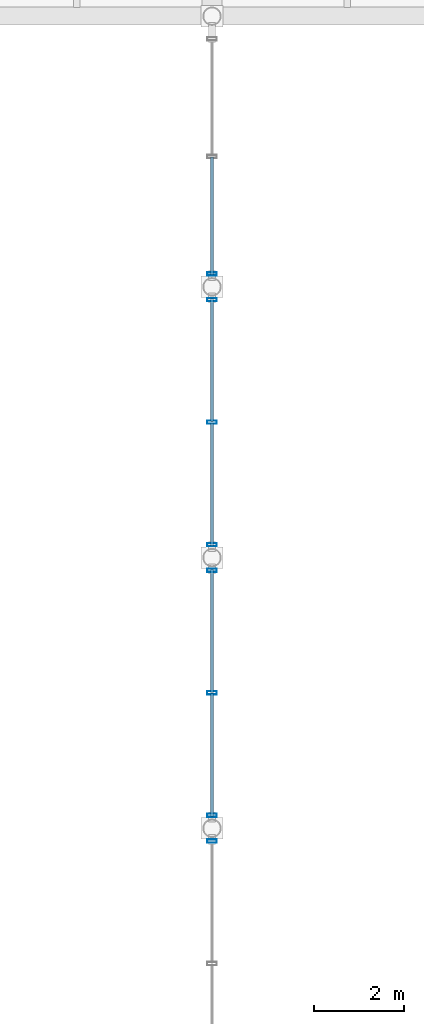
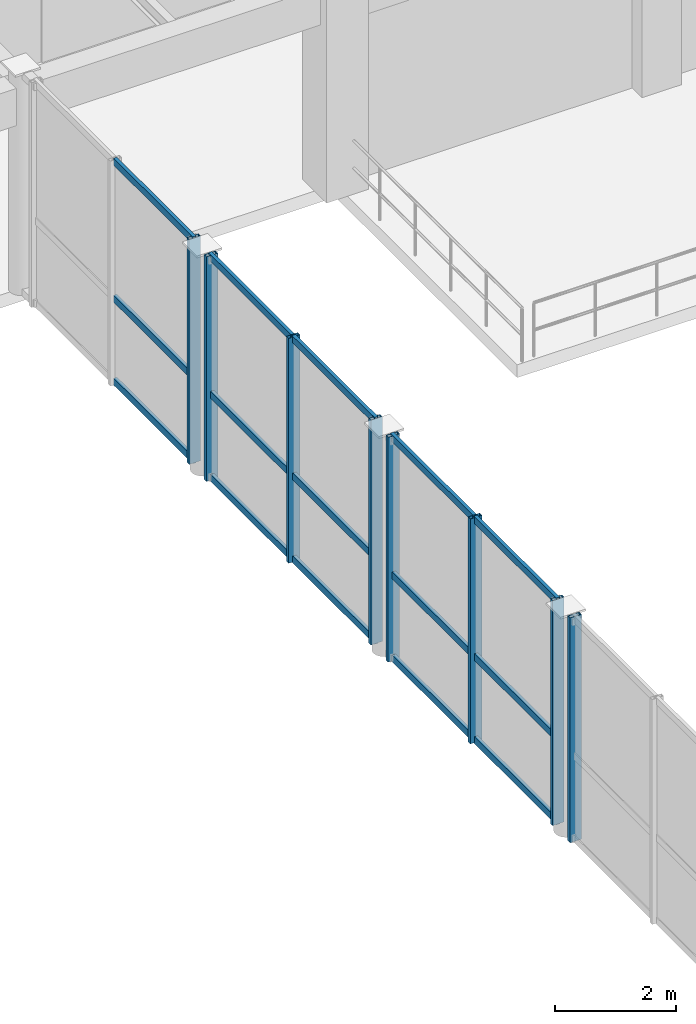
# One storey, part 38 of 133: 23 members, 4 elements without a shape of their own.
"""IFC4 building model written with IfcOpenShell, lengths in metres."""

from ifc_helpers import new_model, si_unit, direction, frame, origin, origin_2d, place, context, subcontext, project, spatial, hollow_rectangle, extrude, material, material_profile, profile_set, type_object, element, aggregate, save


model = new_model("IFC4")

# Units and contexts
model_context = context("Model", 3, precision=1e-05, world=origin(), true_north=direction((0.0, 1.0)))
body_context = subcontext(model_context, "Body", "Model", "MODEL_VIEW")
ifc_project = project(units=[si_unit("LENGTHUNIT", "METRE"), si_unit("AREAUNIT", "SQUARE_METRE"), si_unit("VOLUMEUNIT", "CUBIC_METRE"), si_unit("PLANEANGLEUNIT", "RADIAN"), si_unit("MASSUNIT", "GRAM", prefix="KILO"), si_unit("THERMODYNAMICTEMPERATUREUNIT", "KELVIN"), si_unit("POWERUNIT", "WATT")], contexts=[model_context])

# Site, building, storey
site_placement = place(None, origin())
site = spatial("IfcSite", under=ifc_project, at=site_placement, CompositionType="ELEMENT")
building_placement = place(site_placement, origin())
building = spatial("IfcBuilding", under=site, at=building_placement, Name="Phaisarnlok Congress Hotel", CompositionType="ELEMENT")
storey_placement = place(building_placement, frame((0.0, 0.0, 6.0)))
storey = spatial("IfcBuildingStorey", under=building, at=storey_placement, Name="L01", CompositionType="ELEMENT", Elevation=6.0)

# Curtain wall, member
ifc_material_1 = material(Name="Thermally Broken Unitised Aluminium & Low-E Glazing", Category="aluminium")
curtain_wall_type_1 = type_object("IfcCurtainWallType", Name="CW-UNIT-43", PredefinedType="NOTDEFINED", material=ifc_material_1)
curtain_wall_1_placement = place(storey_placement, origin())
curtain_wall_1 = element("IfcCurtainWall", 1, at=curtain_wall_1_placement, inside=storey, type_object=curtain_wall_type_1, Name="Unitised curtain wall CW-43 (L01)", PredefinedType="NOTDEFINED")
ifc_material_2 = material(Name="Anodised Aluminium Alloy 6063-T6", Category="aluminium")
ifc_material_profile_1 = material_profile(ifc_material_2, hollow_rectangle(XDim=0.074951171875, YDim=0.219970703125, WallThickness=0.0048828125, at=origin_2d()), Name="ALU-M 75x220x5")
ifc_profile_set_1 = profile_set([ifc_material_profile_1], Name="Anodised Aluminium Alloy 6063-T6")
member_type_1 = type_object("IfcMemberType", Name="CWM-220", PredefinedType="MULLION", material=ifc_profile_set_1)
member_1_placement = place(storey_placement, frame((120.0, 65.715087890625, -0.02001953125), z_axis=(0.0, 0.0, 1.0), x_axis=(0.0, -1.0, 0.0)))
member_1 = element("IfcMember", 2, at=member_1_placement, type_object=member_type_1, Name="Curtain wall mullion CWM-02", PredefinedType="MULLION", context=body_context, shape_type="SweptSolid", body=[
    extrude(hollow_rectangle(XDim=0.074951171875, YDim=0.219970703125, WallThickness=0.0048828125, at=origin_2d()), origin(), (0.0, 0.0, 1.0), 4.530029296875),
])
aggregate(curtain_wall_1, [member_1])

# Curtain wall, members
curtain_wall_2_placement = place(storey_placement, origin())
curtain_wall_2 = element("IfcCurtainWall", 3, at=curtain_wall_2_placement, inside=storey, type_object=curtain_wall_type_1, Name="Unitised curtain wall CW-43 (L01)", PredefinedType="NOTDEFINED")
member_2_placement = place(storey_placement, frame((120.0, 71.715087890625, -0.02001953125), z_axis=(0.0, 0.0, 1.0), x_axis=(0.0, -1.0, 0.0)))
member_2 = element("IfcMember", 4, at=member_2_placement, type_object=member_type_1, Name="Curtain wall mullion CWM-02", PredefinedType="MULLION", context=body_context, shape_type="SweptSolid", body=[
    extrude(hollow_rectangle(XDim=0.074951171875, YDim=0.219970703125, WallThickness=0.0048828125, at=origin_2d()), origin(), (0.0, 0.0, 1.0), 4.530029296875),
])
member_3_placement = place(storey_placement, frame((120.0, 69.0, -0.02001953125), z_axis=(0.0, 0.0, 1.0), x_axis=(0.0, -1.0, 0.0)))
member_3 = element("IfcMember", 5, at=member_3_placement, type_object=member_type_1, Name="Curtain wall mullion CWM-02", PredefinedType="MULLION", context=body_context, shape_type="SweptSolid", body=[
    extrude(hollow_rectangle(XDim=0.074951171875, YDim=0.219970703125, WallThickness=0.0048828125, at=origin_2d()), origin(), (0.0, 0.0, 1.0), 4.530029296875),
])
member_4_placement = place(storey_placement, frame((120.0, 66.284912109375, -0.02001953125), z_axis=(0.0, 0.0, 1.0), x_axis=(0.0, -1.0, 0.0)))
member_4 = element("IfcMember", 6, at=member_4_placement, type_object=member_type_1, Name="Curtain wall mullion CWM-02", PredefinedType="MULLION", context=body_context, shape_type="SweptSolid", body=[
    extrude(hollow_rectangle(XDim=0.074951171875, YDim=0.219970703125, WallThickness=0.0048828125, at=origin_2d()), origin(), (0.0, 0.0, 1.0), 4.530029296875),
])

curtain_wall_3_placement = place(storey_placement, origin())
curtain_wall_3 = element("IfcCurtainWall", 7, at=curtain_wall_3_placement, inside=storey, type_object=curtain_wall_type_1, Name="Unitised curtain wall CW-43 (L01)", PredefinedType="NOTDEFINED")
member_5_placement = place(storey_placement, frame((120.0, 77.715087890625, -0.02001953125), z_axis=(0.0, 0.0, 1.0), x_axis=(0.0, -1.0, 0.0)))
member_5 = element("IfcMember", 8, at=member_5_placement, type_object=member_type_1, Name="Curtain wall mullion CWM-02", PredefinedType="MULLION", context=body_context, shape_type="SweptSolid", body=[
    extrude(hollow_rectangle(XDim=0.074951171875, YDim=0.219970703125, WallThickness=0.0048828125, at=origin_2d()), origin(), (0.0, 0.0, 1.0), 4.530029296875),
])
member_6_placement = place(storey_placement, frame((120.0, 75.0, -0.02001953125), z_axis=(0.0, 0.0, 1.0), x_axis=(0.0, -1.0, 0.0)))
member_6 = element("IfcMember", 9, at=member_6_placement, type_object=member_type_1, Name="Curtain wall mullion CWM-02", PredefinedType="MULLION", context=body_context, shape_type="SweptSolid", body=[
    extrude(hollow_rectangle(XDim=0.074951171875, YDim=0.219970703125, WallThickness=0.0048828125, at=origin_2d()), origin(), (0.0, 0.0, 1.0), 4.530029296875),
])
member_7_placement = place(storey_placement, frame((120.0, 72.284912109375, -0.02001953125), z_axis=(0.0, 0.0, 1.0), x_axis=(0.0, -1.0, 0.0)))
member_7 = element("IfcMember", 10, at=member_7_placement, type_object=member_type_1, Name="Curtain wall mullion CWM-02", PredefinedType="MULLION", context=body_context, shape_type="SweptSolid", body=[
    extrude(hollow_rectangle(XDim=0.074951171875, YDim=0.219970703125, WallThickness=0.0048828125, at=origin_2d()), origin(), (0.0, 0.0, 1.0), 4.530029296875),
])

# Curtain wall, member
curtain_wall_type_2 = type_object("IfcCurtainWallType", Name="CW-UNIT-40", PredefinedType="NOTDEFINED", material=ifc_material_1)
curtain_wall_4_placement = place(storey_placement, origin())
curtain_wall_4 = element("IfcCurtainWall", 11, at=curtain_wall_4_placement, inside=storey, type_object=curtain_wall_type_2, Name="Unitised curtain wall CW-40 (L01)", PredefinedType="NOTDEFINED")
member_8_placement = place(storey_placement, frame((120.0, 78.284912109375, -0.02001953125), z_axis=(0.0, 0.0, 1.0), x_axis=(0.0, -1.0, 0.0)))
member_8 = element("IfcMember", 12, at=member_8_placement, type_object=member_type_1, Name="Curtain wall mullion CWM-02", PredefinedType="MULLION", context=body_context, shape_type="SweptSolid", body=[
    extrude(hollow_rectangle(XDim=0.074951171875, YDim=0.219970703125, WallThickness=0.0048828125, at=origin_2d()), origin(), (0.0, 0.0, 1.0), 4.530029296875),
])

# Member
ifc_material_profile_2 = material_profile(ifc_material_2, hollow_rectangle(XDim=0.06494140625, YDim=0.139892578125, WallThickness=0.00390625, at=origin_2d()), Name="ALU-T 65x140x4")
ifc_profile_set_2 = profile_set([ifc_material_profile_2], Name="Anodised Aluminium Alloy 6063-T6")
member_type_2 = type_object("IfcMemberType", Name="CWT-150", PredefinedType="USERDEFINED", material=ifc_profile_set_2)
member_9_placement = place(storey_placement, frame((120.0, 71.739990234375, 0.030029296875), z_axis=(0.0, -1.0, 0.0), x_axis=(1.0, 0.0, 0.0)))
member_9 = element("IfcMember", 13, at=member_9_placement, type_object=member_type_2, Name="Curtain wall transom CWT-01", ObjectType="TRANSOM", PredefinedType="USERDEFINED", context=body_context, shape_type="SweptSolid", body=[
    extrude(hollow_rectangle(XDim=0.06494140625, YDim=0.139892578125, WallThickness=0.00390625, at=origin_2d()), origin(), (0.0, 0.0, 1.0), 2.72509765625),
])

member_10_placement = place(storey_placement, frame((120.0, 71.739990234375, 1.701416015625), z_axis=(0.0, -1.0, 0.0), x_axis=(1.0, 0.0, 0.0)))
member_10 = element("IfcMember", 14, at=member_10_placement, type_object=member_type_2, Name="Curtain wall transom CWT-01", ObjectType="TRANSOM", PredefinedType="USERDEFINED", context=body_context, shape_type="SweptSolid", body=[
    extrude(hollow_rectangle(XDim=0.06494140625, YDim=0.139892578125, WallThickness=0.00390625, at=origin_2d()), origin(), (0.0, 0.0, 1.0), 2.72509765625),
])

member_11_placement = place(storey_placement, frame((120.0, 71.739990234375, 4.4599609375), z_axis=(0.0, -1.0, 0.0), x_axis=(1.0, 0.0, 0.0)))
member_11 = element("IfcMember", 15, at=member_11_placement, type_object=member_type_2, Name="Curtain wall transom CWT-01", ObjectType="TRANSOM", PredefinedType="USERDEFINED", context=body_context, shape_type="SweptSolid", body=[
    extrude(hollow_rectangle(XDim=0.06494140625, YDim=0.139892578125, WallThickness=0.00390625, at=origin_2d()), origin(), (0.0, 0.0, 1.0), 2.72509765625),
])

member_12_placement = place(storey_placement, frame((120.0, 68.985107421875, 0.030029296875), z_axis=(0.0, -1.0, 0.0), x_axis=(1.0, 0.0, 0.0)))
member_12 = element("IfcMember", 16, at=member_12_placement, type_object=member_type_2, Name="Curtain wall transom CWT-01", ObjectType="TRANSOM", PredefinedType="USERDEFINED", context=body_context, shape_type="SweptSolid", body=[
    extrude(hollow_rectangle(XDim=0.06494140625, YDim=0.139892578125, WallThickness=0.00390625, at=origin_2d()), origin(), (0.0, 0.0, 1.0), 2.72509765625),
])

member_13_placement = place(storey_placement, frame((120.0, 68.985107421875, 1.701416015625), z_axis=(0.0, -1.0, 0.0), x_axis=(1.0, 0.0, 0.0)))
member_13 = element("IfcMember", 17, at=member_13_placement, type_object=member_type_2, Name="Curtain wall transom CWT-01", ObjectType="TRANSOM", PredefinedType="USERDEFINED", context=body_context, shape_type="SweptSolid", body=[
    extrude(hollow_rectangle(XDim=0.06494140625, YDim=0.139892578125, WallThickness=0.00390625, at=origin_2d()), origin(), (0.0, 0.0, 1.0), 2.72509765625),
])

member_14_placement = place(storey_placement, frame((120.0, 68.985107421875, 4.4599609375), z_axis=(0.0, -1.0, 0.0), x_axis=(1.0, 0.0, 0.0)))
member_14 = element("IfcMember", 18, at=member_14_placement, type_object=member_type_2, Name="Curtain wall transom CWT-01", ObjectType="TRANSOM", PredefinedType="USERDEFINED", context=body_context, shape_type="SweptSolid", body=[
    extrude(hollow_rectangle(XDim=0.06494140625, YDim=0.139892578125, WallThickness=0.00390625, at=origin_2d()), origin(), (0.0, 0.0, 1.0), 2.72509765625),
])

aggregate(curtain_wall_2, [member_2, member_3, member_4, member_9, member_10, member_11, member_12, member_13, member_14])

member_15_placement = place(storey_placement, frame((120.0, 77.739990234375, 0.030029296875), z_axis=(0.0, -1.0, 0.0), x_axis=(1.0, 0.0, 0.0)))
member_15 = element("IfcMember", 19, at=member_15_placement, type_object=member_type_2, Name="Curtain wall transom CWT-01", ObjectType="TRANSOM", PredefinedType="USERDEFINED", context=body_context, shape_type="SweptSolid", body=[
    extrude(hollow_rectangle(XDim=0.06494140625, YDim=0.139892578125, WallThickness=0.00390625, at=origin_2d()), origin(), (0.0, 0.0, 1.0), 2.72509765625),
])

member_16_placement = place(storey_placement, frame((120.0, 77.739990234375, 1.701416015625), z_axis=(0.0, -1.0, 0.0), x_axis=(1.0, 0.0, 0.0)))
member_16 = element("IfcMember", 20, at=member_16_placement, type_object=member_type_2, Name="Curtain wall transom CWT-01", ObjectType="TRANSOM", PredefinedType="USERDEFINED", context=body_context, shape_type="SweptSolid", body=[
    extrude(hollow_rectangle(XDim=0.06494140625, YDim=0.139892578125, WallThickness=0.00390625, at=origin_2d()), origin(), (0.0, 0.0, 1.0), 2.72509765625),
])

member_17_placement = place(storey_placement, frame((120.0, 77.739990234375, 4.4599609375), z_axis=(0.0, -1.0, 0.0), x_axis=(1.0, 0.0, 0.0)))
member_17 = element("IfcMember", 21, at=member_17_placement, type_object=member_type_2, Name="Curtain wall transom CWT-01", ObjectType="TRANSOM", PredefinedType="USERDEFINED", context=body_context, shape_type="SweptSolid", body=[
    extrude(hollow_rectangle(XDim=0.06494140625, YDim=0.139892578125, WallThickness=0.00390625, at=origin_2d()), origin(), (0.0, 0.0, 1.0), 2.72509765625),
])

member_18_placement = place(storey_placement, frame((120.0, 74.985107421875, 0.030029296875), z_axis=(0.0, -1.0, 0.0), x_axis=(1.0, 0.0, 0.0)))
member_18 = element("IfcMember", 22, at=member_18_placement, type_object=member_type_2, Name="Curtain wall transom CWT-01", ObjectType="TRANSOM", PredefinedType="USERDEFINED", context=body_context, shape_type="SweptSolid", body=[
    extrude(hollow_rectangle(XDim=0.06494140625, YDim=0.139892578125, WallThickness=0.00390625, at=origin_2d()), origin(), (0.0, 0.0, 1.0), 2.72509765625),
])

member_19_placement = place(storey_placement, frame((120.0, 74.985107421875, 1.701416015625), z_axis=(0.0, -1.0, 0.0), x_axis=(1.0, 0.0, 0.0)))
member_19 = element("IfcMember", 23, at=member_19_placement, type_object=member_type_2, Name="Curtain wall transom CWT-01", ObjectType="TRANSOM", PredefinedType="USERDEFINED", context=body_context, shape_type="SweptSolid", body=[
    extrude(hollow_rectangle(XDim=0.06494140625, YDim=0.139892578125, WallThickness=0.00390625, at=origin_2d()), origin(), (0.0, 0.0, 1.0), 2.72509765625),
])

member_20_placement = place(storey_placement, frame((120.0, 74.985107421875, 4.4599609375), z_axis=(0.0, -1.0, 0.0), x_axis=(1.0, 0.0, 0.0)))
member_20 = element("IfcMember", 24, at=member_20_placement, type_object=member_type_2, Name="Curtain wall transom CWT-01", ObjectType="TRANSOM", PredefinedType="USERDEFINED", context=body_context, shape_type="SweptSolid", body=[
    extrude(hollow_rectangle(XDim=0.06494140625, YDim=0.139892578125, WallThickness=0.00390625, at=origin_2d()), origin(), (0.0, 0.0, 1.0), 2.72509765625),
])

aggregate(curtain_wall_3, [member_5, member_6, member_7, member_15, member_16, member_17, member_18, member_19, member_20])

member_21_placement = place(storey_placement, frame((120.0, 80.875, 0.030029296875), z_axis=(0.0, -1.0, 0.0), x_axis=(1.0, 0.0, 0.0)))
member_21 = element("IfcMember", 25, at=member_21_placement, type_object=member_type_2, Name="Curtain wall transom CWT-01", ObjectType="TRANSOM", PredefinedType="USERDEFINED", context=body_context, shape_type="SweptSolid", body=[
    extrude(hollow_rectangle(XDim=0.06494140625, YDim=0.139892578125, WallThickness=0.00390625, at=origin_2d()), origin(), (0.0, 0.0, 1.0), 2.614990234375),
])

member_22_placement = place(storey_placement, frame((120.0, 80.875, 1.701416015625), z_axis=(0.0, -1.0, 0.0), x_axis=(1.0, 0.0, 0.0)))
member_22 = element("IfcMember", 26, at=member_22_placement, type_object=member_type_2, Name="Curtain wall transom CWT-01", ObjectType="TRANSOM", PredefinedType="USERDEFINED", context=body_context, shape_type="SweptSolid", body=[
    extrude(hollow_rectangle(XDim=0.06494140625, YDim=0.139892578125, WallThickness=0.00390625, at=origin_2d()), origin(), (0.0, 0.0, 1.0), 2.614990234375),
])

member_23_placement = place(storey_placement, frame((120.0, 80.875, 4.4599609375), z_axis=(0.0, -1.0, 0.0), x_axis=(1.0, 0.0, 0.0)))
member_23 = element("IfcMember", 27, at=member_23_placement, type_object=member_type_2, Name="Curtain wall transom CWT-01", ObjectType="TRANSOM", PredefinedType="USERDEFINED", context=body_context, shape_type="SweptSolid", body=[
    extrude(hollow_rectangle(XDim=0.06494140625, YDim=0.139892578125, WallThickness=0.00390625, at=origin_2d()), origin(), (0.0, 0.0, 1.0), 2.614990234375),
])

aggregate(curtain_wall_4, [member_8, member_21, member_22, member_23])

save(model, "model.ifc")
